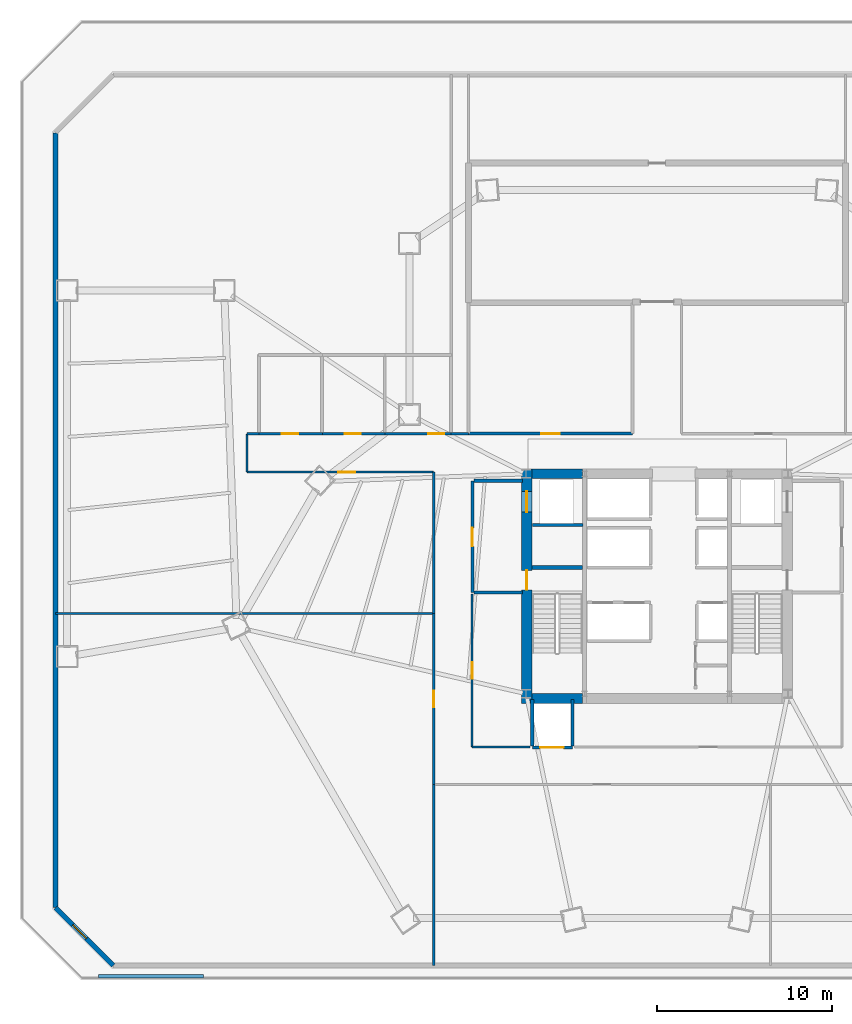
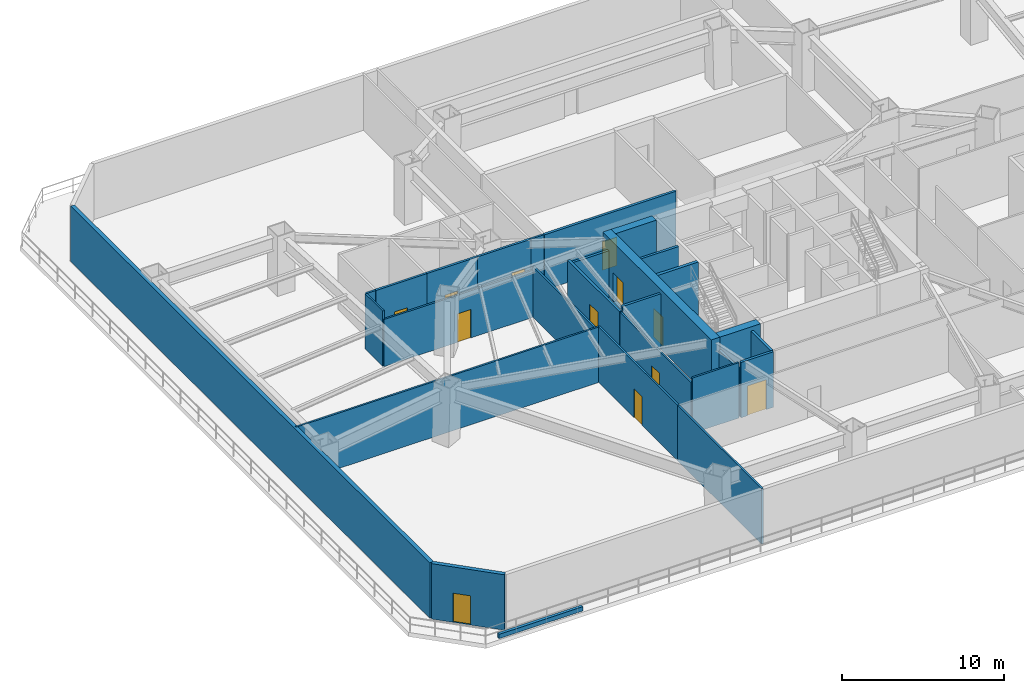
# One storey, part 5 of 13: 28 walls, 12 doors, 12 openings.
"""IFC4 building model written with IfcOpenShell, lengths in metres."""

from ifc_helpers import new_model, si_unit, direction, frame, frame_2d, origin, place, context, subcontext, project, spatial, rectangle, extrude, material, layer, layer_set, type_object, element, fill, save


model = new_model("IFC4")

# Units and contexts
model_context = context("Model", 3, precision=1e-05, world=origin(), true_north=direction((0.0, 1.0)))
body_context = subcontext(model_context, "Body", "Model", "MODEL_VIEW")
ifc_project = project(units=[si_unit("LENGTHUNIT", "METRE"), si_unit("AREAUNIT", "SQUARE_METRE"), si_unit("VOLUMEUNIT", "CUBIC_METRE"), si_unit("PLANEANGLEUNIT", "RADIAN"), si_unit("MASSUNIT", "GRAM", prefix="KILO")], contexts=[model_context])

# Site, building, storey
site_placement = place(None, origin())
site = spatial("IfcSite", under=ifc_project, at=site_placement, CompositionType="ELEMENT")
building_placement = place(site_placement, origin())
building = spatial("IfcBuilding", under=site, at=building_placement, Name="Caelisora Broadcast Tower", CompositionType="ELEMENT")
storey_placement = place(building_placement, frame((0.0, 0.0, 10.199951171875)))
storey = spatial("IfcBuildingStorey", under=building, at=storey_placement, Name="L02", CompositionType="ELEMENT", Elevation=10.199951171875)

# Wall, openings, doors
ifc_material_1 = material(Name="Concrete 65 MPa (AS 3600 S65)", Category="concrete")
ifc_layer_1 = layer(ifc_material_1, 0.60009765625, Name="Concrete 65 MPa (AS 3600 S65)")
ifc_layer_set_1 = layer_set([ifc_layer_1], Name="Concrete 65 MPa (AS 3600 S65)")
wall_type_1 = type_object("IfcWallType", Name="CW1", PredefinedType="SHEAR", material=ifc_layer_set_1)
wall_1_placement = place(storey_placement, frame((30.5400390625, 16.85009765625, 0.0), z_axis=(0.0, 0.0, 1.0), x_axis=(0.0, 1.0, 0.0)))
wall_1 = element("IfcWall", 1, at=wall_1_placement, inside=storey, type_object=wall_type_1, Name="L02 core shear wall CW1", PredefinedType="SHEAR", context=body_context, shape_type="SweptSolid", body=[
    extrude(rectangle(XDim=13.4248046875, YDim=0.60009765625, at=frame_2d((6.71240234375, 0.0))), origin(), (0.0, 0.0, 1.0), 4.5),
])
opening_1_placement = place(wall_1_placement, frame((6.5, 0.0, 0.0)))
opening_1 = element("IfcOpeningElement", 2, at=opening_1_placement, cuts=wall_1, Name="Opening FD04", PredefinedType="OPENING", context=body_context, shape_type="SweptSolid", body=[
    extrude(rectangle(XDim=1.1201171875, YDim=2.14990234375, at=frame_2d((0.56005859375, 1.074951171875))), frame((0.0, 0.31201171875, 0.0), z_axis=(0.0, -1.0, 0.0), x_axis=(1.0, 0.0, 0.0)), (0.0, 0.0, 1.0), 0.6240234375),
])
opening_2_placement = place(wall_1_placement, frame((10.949951171875, 0.0, 0.0)))
opening_2 = element("IfcOpeningElement", 3, at=opening_2_placement, cuts=wall_1, Name="Opening LD04", PredefinedType="OPENING", context=body_context, shape_type="SweptSolid", body=[
    extrude(rectangle(XDim=1.199951171875, YDim=2.199951171875, at=frame_2d((0.60009765625, 1.10009765625))), frame((0.0, 0.31201171875, 0.0), z_axis=(0.0, -1.0, 0.0), x_axis=(1.0, 0.0, 0.0)), (0.0, 0.0, 1.0), 0.6240234375),
])
ifc_material_2 = material(Name="Pressurised Fire-Isolated Stair Door", Category="steel")
door_type_1 = type_object("IfcDoorType", Name="FD04", OperationType="NOTDEFINED", PredefinedType="DOOR", material=ifc_material_2)
door_1_placement = place(opening_1_placement, origin())
door_1 = element("IfcDoor", 4, at=door_1_placement, inside=storey, type_object=door_type_1, Name="L02 door FD04 (L02-DR-ST1)", OperationType="SINGLE_SWING_LEFT", OverallHeight=2.14990234375, OverallWidth=1.1201171875, PredefinedType="DOOR", context=body_context, shape_type="SweptSolid", body=[
    extrude(rectangle(XDim=1.1201171875, YDim=2.14990234375, at=frame_2d((0.56005859375, 1.074951171875))), frame((0.0, 0.02490234375, 0.0), z_axis=(0.0, -1.0, 0.0), x_axis=(1.0, 0.0, 0.0)), (0.0, 0.0, 1.0), 0.050048828125),
])
fill(opening_1, door_1)
ifc_material_3 = material(Name="Emergency Firefighting Lift Sliding Landing Door", Category="steel")
door_type_2 = type_object("IfcDoorType", Name="LD04", OperationType="NOTDEFINED", PredefinedType="DOOR", material=ifc_material_3)
door_2_placement = place(opening_2_placement, origin())
door_2 = element("IfcDoor", 5, at=door_2_placement, inside=storey, type_object=door_type_2, Name="L02 door LD04 (L02-LD-FFL1)", OperationType="SLIDING_TO_LEFT", OverallHeight=2.199951171875, OverallWidth=1.199951171875, PredefinedType="DOOR", context=body_context, shape_type="SweptSolid", body=[
    extrude(rectangle(XDim=1.199951171875, YDim=2.199951171875, at=frame_2d((0.60009765625, 1.10009765625))), frame((0.0, 0.02490234375, 0.0), z_axis=(0.0, -1.0, 0.0), x_axis=(1.0, 0.0, 0.0)), (0.0, 0.0, 1.0), 0.050048828125),
])
fill(opening_2, door_2)

# Walls
ifc_layer_2 = layer(ifc_material_1, 0.550048828125, Name="Concrete 65 MPa (AS 3600 S65)")
ifc_layer_set_2 = layer_set([ifc_layer_2], Name="Concrete 65 MPa (AS 3600 S65)")
wall_type_2 = type_object("IfcWallType", Name="CW4", PredefinedType="SHEAR", material=ifc_layer_set_2)
for number, where, z_axis, x_axis, name in (
    (6, (30.840087890625, 17.125, 0.0), (0.0, 0.0, 1.0), (1.0, 0.0, 0.0), "L02 core shear wall CW4"),
    (7, (30.840087890625, 30.0, 0.0), (0.0, 0.0, 1.0), (1.0, 0.0, 0.0), "L02 core shear wall CW4"),
):
    element("IfcWall", number, at=place(storey_placement, frame(where, z_axis=z_axis, x_axis=x_axis)), inside=storey, type_object=wall_type_2, Name=name, PredefinedType="SHEAR", context=body_context, shape_type="SweptSolid", body=[
        extrude(rectangle(XDim=2.89990234375, YDim=0.550048828125, at=frame_2d((1.449951171875, 0.0))), origin(), (0.0, 0.0, 1.0), 4.5),
    ])
ifc_material_4 = material(Name="Concrete 50 MPa (AS 3600 S50)", Category="concrete")
ifc_layer_3 = layer(ifc_material_4, 0.219970703125, Name="Concrete 50 MPa (AS 3600 S50)")
ifc_layer_set_3 = layer_set([ifc_layer_3], Name="Concrete 50 MPa (AS 3600 S50)")
wall_type_3 = type_object("IfcWallType", Name="CW7", PredefinedType="SHEAR", material=ifc_layer_set_3)
wall_2_placement = place(storey_placement, frame((30.840087890625, 24.639892578125, 0.0), z_axis=(0.0, 0.0, 1.0), x_axis=(1.0, 0.0, 0.0)))
element("IfcWall", 8, at=wall_2_placement, inside=storey, type_object=wall_type_3, Name="L02 core shear wall CW7", PredefinedType="SHEAR", context=body_context, shape_type="SweptSolid", body=[
    extrude(rectangle(XDim=2.89990234375, YDim=0.219970703125, at=frame_2d((1.449951171875, 0.0))), origin(), (0.0, 0.0, 1.0), 4.5),
])

# Wall, opening, door
ifc_material_5 = material(Name="Insulated Terracotta Spandrel Wall System", Category="masonry")
ifc_layer_4 = layer(ifc_material_5, 0.280029296875, Name="Insulated Terracotta Spandrel Wall System")
ifc_layer_set_4 = layer_set([ifc_layer_4], Name="Insulated Terracotta Spandrel Wall System")
wall_type_4 = type_object("IfcWallType", Name="EW1", PredefinedType="STANDARD", material=ifc_layer_set_4)
wall_3_placement = place(storey_placement, frame((6.841064453125, 1.840087890625, 0.0), z_axis=(0.0, 0.0, 1.0), x_axis=(-0.707106781187, 0.707106781187, 0.0)))
wall_3 = element("IfcWall", 9, at=wall_3_placement, inside=storey, type_object=wall_type_4, Name="L02 exterior envelope wall EW1", PredefinedType="STANDARD", context=body_context, shape_type="SweptSolid", body=[
    extrude(rectangle(XDim=4.66845703125, YDim=0.280029296875, at=frame_2d((2.334228515625, 0.0))), origin(), (0.0, 0.0, 1.0), 4.179931640625),
])
opening_3_placement = place(wall_3_placement, frame((2.169921875, 0.0, 0.0)))
opening_3 = element("IfcOpeningElement", 10, at=opening_3_placement, cuts=wall_3, Name="Opening D04", PredefinedType="OPENING", context=body_context, shape_type="SweptSolid", body=[
    extrude(rectangle(XDim=1.10009765625, YDim=2.199951171875, at=frame_2d((0.550048828125, 1.10009765625))), frame((0.0, 0.152099609375, 0.0), z_axis=(0.0, -1.0, 0.0), x_axis=(1.0, 0.0, 0.0)), (0.0, 0.0, 1.0), 0.303955078125),
])
ifc_material_6 = material(Name="Aluminium Framed Double-Glazed Terrace Door", Category="aluminium")
door_type_3 = type_object("IfcDoorType", Name="D04", OperationType="NOTDEFINED", PredefinedType="DOOR", material=ifc_material_6)
door_3_placement = place(opening_3_placement, origin())
door_3 = element("IfcDoor", 11, at=door_3_placement, inside=storey, type_object=door_type_3, Name="L02 door D04 (L02-DR-TER)", OperationType="SINGLE_SWING_LEFT", OverallHeight=2.199951171875, OverallWidth=1.10009765625, PredefinedType="DOOR", context=body_context, shape_type="SweptSolid", body=[
    extrude(rectangle(XDim=1.10009765625, YDim=2.199951171875, at=frame_2d((0.550048828125, 1.10009765625))), frame((0.0, 0.02490234375, 0.0), z_axis=(0.0, -1.0, 0.0), x_axis=(1.0, 0.0, 0.0)), (0.0, 0.0, 1.0), 0.050048828125),
])
fill(opening_3, door_3)

# Walls
wall_4_placement = place(storey_placement, frame((3.5400390625, 5.160888671875, 0.0), z_axis=(0.0, 0.0, 1.0), x_axis=(0.0, 1.0, 0.0)))
element("IfcWall", 12, at=wall_4_placement, inside=storey, type_object=wall_type_4, Name="L02 exterior envelope wall EW1", PredefinedType="STANDARD", context=body_context, shape_type="SweptSolid", body=[
    extrude(rectangle(XDim=44.378173828125, YDim=0.280029296875, at=frame_2d((22.18896484375, 0.0))), origin(), (0.0, 0.0, 1.0), 4.179931640625),
])
ifc_material_7 = material(Name="Precast Concrete 40 MPa (AS 3600 N40)", Category="concrete")
ifc_layer_5 = layer(ifc_material_7, 0.2099609375, Name="Precast Concrete 40 MPa (AS 3600 N40)")
ifc_layer_set_5 = layer_set([ifc_layer_5], Name="Precast Concrete 40 MPa (AS 3600 N40)")
wall_type_5 = type_object("IfcWallType", Name="EW3", PredefinedType="PARAPET", material=ifc_layer_set_5)
wall_5_placement = place(storey_placement, frame((6.0, 1.219970703125, 0.0), z_axis=(0.0, 0.0, 1.0), x_axis=(1.0, 0.0, 0.0)))
element("IfcWall", 13, at=wall_5_placement, inside=storey, type_object=wall_type_5, Name="L02 terrace parapet wall EW3", PredefinedType="PARAPET", context=body_context, shape_type="SweptSolid", body=[
    extrude(rectangle(XDim=6.0, YDim=0.2099609375, at=frame_2d((3.0, 0.0))), origin(), (0.0, 0.0, 1.0), 0.320068359375),
])

# Wall, opening, door
ifc_material_8 = material(Name="Fire-Rated Gypsum Shaft and Compartment Wall", Category="gypsum")
ifc_layer_6 = layer(ifc_material_8, 0.179931640625, Name="Fire-Rated Gypsum Shaft and Compartment Wall")
ifc_layer_set_6 = layer_set([ifc_layer_6], Name="Fire-Rated Gypsum Shaft and Compartment Wall")
wall_type_6 = type_object("IfcWallType", Name="PW2", PredefinedType="PARTITIONING", material=ifc_layer_set_6)
wall_6_placement = place(storey_placement, frame((30.85009765625, 14.320068359375, 0.0), z_axis=(0.0, 0.0, 1.0), x_axis=(1.0, 0.0, 0.0)))
wall_6 = element("IfcWall", 14, at=wall_6_placement, inside=storey, type_object=wall_type_6, Name="L02 fire compartment wall PW2", PredefinedType="PARTITIONING", context=body_context, shape_type="SweptSolid", body=[
    extrude(rectangle(XDim=2.2998046875, YDim=0.179931640625, at=frame_2d((1.14990234375, 0.0))), origin(), (0.0, 0.0, 1.0), 4.179931640625),
])
opening_4_placement = place(wall_6_placement, frame((0.449951171875, 0.0, 0.0)))
opening_4 = element("IfcOpeningElement", 15, at=opening_4_placement, cuts=wall_6, Name="Opening LD03", PredefinedType="OPENING", context=body_context, shape_type="SweptSolid", body=[
    extrude(rectangle(XDim=1.35009765625, YDim=2.25, at=frame_2d((0.675048828125, 1.125))), frame((0.0, 0.10205078125, 0.0), z_axis=(0.0, -1.0, 0.0), x_axis=(1.0, 0.0, 0.0)), (0.0, 0.0, 1.0), 0.203857421875),
])
ifc_material_9 = material(Name="Heavy-Duty Goods Lift Sliding Landing Door", Category="steel")
door_type_4 = type_object("IfcDoorType", Name="LD03", OperationType="NOTDEFINED", PredefinedType="DOOR", material=ifc_material_9)
door_4_placement = place(opening_4_placement, origin())
door_4 = element("IfcDoor", 16, at=door_4_placement, inside=storey, type_object=door_type_4, Name="L02 door LD03 (L02-LD-GL1)", OperationType="SLIDING_TO_LEFT", OverallHeight=2.25, OverallWidth=1.35009765625, PredefinedType="DOOR", context=body_context, shape_type="SweptSolid", body=[
    extrude(rectangle(XDim=1.35009765625, YDim=2.25, at=frame_2d((0.675048828125, 1.125))), frame((0.0, 0.02490234375, 0.0), z_axis=(0.0, -1.0, 0.0), x_axis=(1.0, 0.0, 0.0)), (0.0, 0.0, 1.0), 0.050048828125),
])
fill(opening_4, door_4)

# Walls
wall_7_placement = place(storey_placement, frame((30.85009765625, 14.419921875, 0.0), z_axis=(0.0, 0.0, 1.0), x_axis=(0.0, 1.0, 0.0)))
element("IfcWall", 17, at=wall_7_placement, inside=storey, type_object=wall_type_6, Name="L02 fire compartment wall PW2", PredefinedType="PARTITIONING", context=body_context, shape_type="SweptSolid", body=[
    extrude(rectangle(XDim=2.66015625, YDim=0.179931640625, at=frame_2d((1.330078125, 0.0))), origin(), (0.0, 0.0, 1.0), 3.553466796875),
])
wall_8_placement = place(storey_placement, frame((33.14990234375, 14.419921875, 0.0), z_axis=(0.0, 0.0, 1.0), x_axis=(0.0, 1.0, 0.0)))
element("IfcWall", 18, at=wall_8_placement, inside=storey, type_object=wall_type_6, Name="L02 fire compartment wall PW2", PredefinedType="PARTITIONING", context=body_context, shape_type="SweptSolid", body=[
    extrude(rectangle(XDim=2.66015625, YDim=0.179931640625, at=frame_2d((1.330078125, 0.0))), origin(), (0.0, 0.0, 1.0), 4.179931640625),
])

# Wall, opening, door
wall_9_placement = place(storey_placement, frame((27.419921875, 23.199951171875, 0.0), z_axis=(0.0, 0.0, 1.0), x_axis=(0.0, 1.0, 0.0)))
wall_9 = element("IfcWall", 19, at=wall_9_placement, inside=storey, type_object=wall_type_6, Name="L02 fire compartment wall PW2", PredefinedType="PARTITIONING", context=body_context, shape_type="SweptSolid", body=[
    extrude(rectangle(XDim=6.400146484375, YDim=0.179931640625, at=frame_2d((3.2001953125, 0.0))), origin(), (0.0, 0.0, 1.0), 3.806396484375),
])
opening_5_placement = place(wall_9_placement, frame((2.64990234375, 0.0, 0.0)))
opening_5 = element("IfcOpeningElement", 20, at=opening_5_placement, cuts=wall_9, Name="Opening FD02", PredefinedType="OPENING", context=body_context, shape_type="SweptSolid", body=[
    extrude(rectangle(XDim=1.050048828125, YDim=2.14990234375, at=frame_2d((0.52490234375, 1.074951171875))), frame((0.0, 0.10205078125, 0.0), z_axis=(0.0, -1.0, 0.0), x_axis=(1.0, 0.0, 0.0)), (0.0, 0.0, 1.0), 0.203857421875),
])
ifc_material_10 = material(Name="Single-Leaf Steel Fire Lobby Door", Category="steel")
door_type_5 = type_object("IfcDoorType", Name="FD02", OperationType="NOTDEFINED", PredefinedType="DOOR", material=ifc_material_10)
door_5_placement = place(opening_5_placement, origin())
door_5 = element("IfcDoor", 21, at=door_5_placement, inside=storey, type_object=door_type_5, Name="L02 door FD02 (L02-DR-P01D1)", OperationType="SINGLE_SWING_LEFT", OverallHeight=2.14990234375, OverallWidth=1.050048828125, PredefinedType="DOOR", context=body_context, shape_type="SweptSolid", body=[
    extrude(rectangle(XDim=1.050048828125, YDim=2.14990234375, at=frame_2d((0.52490234375, 1.074951171875))), frame((0.0, 0.02490234375, 0.0), z_axis=(0.0, -1.0, 0.0), x_axis=(1.0, 0.0, 0.0)), (0.0, 0.0, 1.0), 0.050048828125),
])
fill(opening_5, door_5)

# Walls
wall_10_placement = place(storey_placement, frame((27.52001953125, 23.199951171875, 0.0), z_axis=(0.0, 0.0, 1.0), x_axis=(1.0, 0.0, 0.0)))
element("IfcWall", 22, at=wall_10_placement, inside=storey, type_object=wall_type_6, Name="L02 fire compartment wall PW2", PredefinedType="PARTITIONING", context=body_context, shape_type="SweptSolid", body=[
    extrude(rectangle(XDim=2.760009765625, YDim=0.179931640625, at=frame_2d((1.3798828125, 0.0))), origin(), (0.0, 0.0, 1.0), 4.179931640625),
])
wall_11_placement = place(storey_placement, frame((27.52001953125, 29.60009765625, 0.0), z_axis=(0.0, 0.0, 1.0), x_axis=(1.0, 0.0, 0.0)))
element("IfcWall", 23, at=wall_11_placement, inside=storey, type_object=wall_type_6, Name="L02 fire compartment wall PW2", PredefinedType="PARTITIONING", context=body_context, shape_type="SweptSolid", body=[
    extrude(rectangle(XDim=2.760009765625, YDim=0.179931640625, at=frame_2d((1.3798828125, 0.0))), origin(), (0.0, 0.0, 1.0), 3.553466796875),
])
wall_12_placement = place(storey_placement, frame((30.860107421875, 27.070068359375, 0.0), z_axis=(0.0, 0.0, 1.0), x_axis=(1.0, 0.0, 0.0)))
element("IfcWall", 24, at=wall_12_placement, inside=storey, type_object=wall_type_6, Name="L02 fire compartment wall PW2", PredefinedType="PARTITIONING", context=body_context, shape_type="SweptSolid", body=[
    extrude(rectangle(XDim=2.89990234375, YDim=0.179931640625, at=frame_2d((1.449951171875, 0.0))), origin(), (0.0, 0.0, 1.0), 4.179931640625),
])

# Wall, opening, door
wall_13_placement = place(storey_placement, frame((27.205078125, 32.300048828125, 0.0), z_axis=(0.0, 0.0, 1.0), x_axis=(1.0, 0.0, 0.0)))
wall_13 = element("IfcWall", 25, at=wall_13_placement, inside=storey, type_object=wall_type_6, Name="L02 fire compartment wall PW2", PredefinedType="PARTITIONING", context=body_context, shape_type="SweptSolid", body=[
    extrude(rectangle(XDim=9.389892578125, YDim=0.179931640625, at=frame_2d((4.69482421875, 0.0))), origin(), (0.0, 0.0, 1.0), 4.179931640625),
])
opening_6_placement = place(wall_13_placement, frame((4.169921875, 0.0, 0.0)))
opening_6 = element("IfcOpeningElement", 26, at=opening_6_placement, cuts=wall_13, Name="Opening FD02", PredefinedType="OPENING", context=body_context, shape_type="SweptSolid", body=[
    extrude(rectangle(XDim=1.050048828125, YDim=2.14990234375, at=frame_2d((0.52490234375, 1.074951171875))), frame((0.0, 0.10205078125, 0.0), z_axis=(0.0, -1.0, 0.0), x_axis=(1.0, 0.0, 0.0)), (0.0, 0.0, 1.0), 0.203857421875),
])
door_6_placement = place(opening_6_placement, origin())
door_6 = element("IfcDoor", 27, at=door_6_placement, inside=storey, type_object=door_type_5, Name="L02 door FD02 (L02-DR-P29D1)", OperationType="SINGLE_SWING_LEFT", OverallHeight=2.14990234375, OverallWidth=1.050048828125, PredefinedType="DOOR", context=body_context, shape_type="SweptSolid", body=[
    extrude(rectangle(XDim=1.050048828125, YDim=2.14990234375, at=frame_2d((0.52490234375, 1.074951171875))), frame((0.0, 0.02490234375, 0.0), z_axis=(0.0, -1.0, 0.0), x_axis=(1.0, 0.0, 0.0)), (0.0, 0.0, 1.0), 0.050048828125),
])
fill(opening_6, door_6)

# Wall
ifc_material_11 = material(Name="Acoustic Steel-Stud Plasterboard Partition", Category="gypsum")
ifc_layer_7 = layer(ifc_material_11, 0.1298828125, Name="Acoustic Steel-Stud Plasterboard Partition")
ifc_layer_set_7 = layer_set([ifc_layer_7], Name="Acoustic Steel-Stud Plasterboard Partition")
wall_type_7 = type_object("IfcWallType", Name="PW3", PredefinedType="PARTITIONING", material=ifc_layer_set_7)
wall_14_placement = place(storey_placement, frame((3.530029296875, 22.0, 0.0), z_axis=(0.0, 0.0, 1.0), x_axis=(1.0, 0.0, 0.0)))
element("IfcWall", 28, at=wall_14_placement, inside=storey, type_object=wall_type_7, Name="L02 internal partition PW3", PredefinedType="PARTITIONING", context=body_context, shape_type="SweptSolid", body=[
    extrude(rectangle(XDim=21.6650390625, YDim=0.1298828125, at=frame_2d((10.83251953125, 0.0))), origin(), (0.0, 0.0, 1.0), 4.179931640625),
])

# Wall, opening, door
wall_15_placement = place(storey_placement, frame((25.195068359375, 30.10009765625, 0.0), z_axis=(0.0, 0.0, 1.0), x_axis=(-1.0, 0.0, 0.0)))
wall_15 = element("IfcWall", 29, at=wall_15_placement, inside=storey, type_object=wall_type_7, Name="L02 internal partition PW3", PredefinedType="PARTITIONING", context=body_context, shape_type="SweptSolid", body=[
    extrude(rectangle(XDim=10.690185546875, YDim=0.1298828125, at=frame_2d((5.34521484375, 0.0))), origin(), (0.0, 0.0, 1.0), 3.553466796875),
])
opening_7_placement = place(wall_15_placement, frame((4.5, 0.0, 0.0)))
opening_7 = element("IfcOpeningElement", 30, at=opening_7_placement, cuts=wall_15, Name="Opening D01", PredefinedType="OPENING", context=body_context, shape_type="SweptSolid", body=[
    extrude(rectangle(XDim=0.9599609375, YDim=2.14990234375, at=frame_2d((0.47998046875, 1.074951171875))), frame((0.0, 0.076904296875, 0.0), z_axis=(0.0, -1.0, 0.0), x_axis=(1.0, 0.0, 0.0)), (0.0, 0.0, 1.0), 0.15380859375),
])
ifc_material_12 = material(Name="Solid-Core Timber Acoustic Office Door", Category="wood")
door_type_6 = type_object("IfcDoorType", Name="D01", OperationType="NOTDEFINED", PredefinedType="DOOR", material=ifc_material_12)
door_7_placement = place(opening_7_placement, origin())
door_7 = element("IfcDoor", 31, at=door_7_placement, inside=storey, type_object=door_type_6, Name="L02 door D01 (L02-DR-P39D1)", OperationType="SINGLE_SWING_LEFT", OverallHeight=2.14990234375, OverallWidth=0.9599609375, PredefinedType="DOOR", context=body_context, shape_type="SweptSolid", body=[
    extrude(rectangle(XDim=0.9599609375, YDim=2.14990234375, at=frame_2d((0.47998046875, 1.074951171875))), frame((0.0, 0.02490234375, 0.0), z_axis=(0.0, -1.0, 0.0), x_axis=(1.0, 0.0, 0.0)), (0.0, 0.0, 1.0), 0.050048828125),
])
fill(opening_7, door_7)

# Wall
wall_16_placement = place(storey_placement, frame((25.199951171875, 1.830078125, 0.0), z_axis=(0.0, 0.0, 1.0), x_axis=(0.0, 1.0, 0.0)))
element("IfcWall", 32, at=wall_16_placement, inside=storey, type_object=wall_type_7, Name="L02 internal partition PW3", PredefinedType="PARTITIONING", context=body_context, shape_type="SweptSolid", body=[
    extrude(rectangle(XDim=10.364990234375, YDim=0.1298828125, at=frame_2d((5.1826171875, 0.0))), origin(), (0.0, 0.0, 1.0), 4.179931640625),
])

# Wall, opening, door
wall_17_placement = place(storey_placement, frame((25.199951171875, 12.205078125, 0.0), z_axis=(0.0, 0.0, 1.0), x_axis=(0.0, 1.0, 0.0)))
wall_17 = element("IfcWall", 33, at=wall_17_placement, inside=storey, type_object=wall_type_7, Name="L02 internal partition PW3", PredefinedType="PARTITIONING", context=body_context, shape_type="SweptSolid", body=[
    extrude(rectangle(XDim=9.7900390625, YDim=0.1298828125, at=frame_2d((4.89501953125, 0.0))), origin(), (0.0, 0.0, 1.0), 4.179931640625),
])
opening_8_placement = place(wall_17_placement, frame((4.4150390625, 0.0, 0.0)))
opening_8 = element("IfcOpeningElement", 34, at=opening_8_placement, cuts=wall_17, Name="Opening D01", PredefinedType="OPENING", context=body_context, shape_type="SweptSolid", body=[
    extrude(rectangle(XDim=0.9599609375, YDim=2.14990234375, at=frame_2d((0.47998046875, 1.074951171875))), frame((0.0, 0.076904296875, 0.0), z_axis=(0.0, -1.0, 0.0), x_axis=(1.0, 0.0, 0.0)), (0.0, 0.0, 1.0), 0.15380859375),
])
door_8_placement = place(opening_8_placement, origin())
door_8 = element("IfcDoor", 35, at=door_8_placement, inside=storey, type_object=door_type_6, Name="L02 door D01 (L02-DR-P43D1)", OperationType="SINGLE_SWING_RIGHT", OverallHeight=2.14990234375, OverallWidth=0.9599609375, PredefinedType="DOOR", context=body_context, shape_type="SweptSolid", body=[
    extrude(rectangle(XDim=0.9599609375, YDim=2.14990234375, at=frame_2d((0.47998046875, 1.074951171875))), frame((0.0, 0.02490234375, 0.0), z_axis=(0.0, -1.0, 0.0), x_axis=(1.0, 0.0, 0.0)), (0.0, 0.0, 1.0), 0.050048828125),
])
fill(opening_8, door_8)

wall_18_placement = place(storey_placement, frame((27.39990234375, 14.35498046875, 0.0), z_axis=(0.0, 0.0, 1.0), x_axis=(0.0, 1.0, 0.0)))
wall_18 = element("IfcWall", 36, at=wall_18_placement, inside=storey, type_object=wall_type_7, Name="L02 internal partition PW3", PredefinedType="PARTITIONING", context=body_context, shape_type="SweptSolid", body=[
    extrude(rectangle(XDim=8.75, YDim=0.1298828125, at=frame_2d((4.375, 0.0))), origin(), (0.0, 0.0, 1.0), 3.806396484375),
])
opening_9_placement = place(wall_18_placement, frame((3.89501953125, 0.0, 0.0)))
opening_9 = element("IfcOpeningElement", 37, at=opening_9_placement, cuts=wall_18, Name="Opening D01", PredefinedType="OPENING", context=body_context, shape_type="SweptSolid", body=[
    extrude(rectangle(XDim=0.9599609375, YDim=2.14990234375, at=frame_2d((0.47998046875, 1.074951171875))), frame((0.0, 0.076904296875, 0.0), z_axis=(0.0, -1.0, 0.0), x_axis=(1.0, 0.0, 0.0)), (0.0, 0.0, 1.0), 0.15380859375),
])
door_9_placement = place(opening_9_placement, origin())
door_9 = element("IfcDoor", 38, at=door_9_placement, inside=storey, type_object=door_type_6, Name="L02 door D01 (L02-DR-P47D1)", OperationType="SINGLE_SWING_RIGHT", OverallHeight=2.14990234375, OverallWidth=0.9599609375, PredefinedType="DOOR", context=body_context, shape_type="SweptSolid", body=[
    extrude(rectangle(XDim=0.9599609375, YDim=2.14990234375, at=frame_2d((0.47998046875, 1.074951171875))), frame((0.0, 0.02490234375, 0.0), z_axis=(0.0, -1.0, 0.0), x_axis=(1.0, 0.0, 0.0)), (0.0, 0.0, 1.0), 0.050048828125),
])
fill(opening_9, door_9)

# Walls
wall_19_placement = place(storey_placement, frame((25.199951171875, 22.0048828125, 0.0), z_axis=(0.0, 0.0, 1.0), x_axis=(0.0, 1.0, 0.0)))
element("IfcWall", 39, at=wall_19_placement, inside=storey, type_object=wall_type_7, Name="L02 internal partition PW3", PredefinedType="PARTITIONING", context=body_context, shape_type="SweptSolid", body=[
    extrude(rectangle(XDim=8.090087890625, YDim=0.1298828125, at=frame_2d((4.044921875, 0.0))), origin(), (0.0, 0.0, 1.0), 3.806396484375),
])
wall_20_placement = place(storey_placement, frame((30.72509765625, 14.35009765625, 0.0), z_axis=(0.0, 0.0, 1.0), x_axis=(-1.0, 0.0, 0.0)))
element("IfcWall", 40, at=wall_20_placement, inside=storey, type_object=wall_type_7, Name="L02 internal partition PW3", PredefinedType="PARTITIONING", context=body_context, shape_type="SweptSolid", body=[
    extrude(rectangle(XDim=3.320068359375, YDim=0.1298828125, at=frame_2d((1.66015625, 0.0))), origin(), (0.0, 0.0, 1.0), 4.179931640625),
])
wall_21_placement = place(storey_placement, frame((14.5, 30.10498046875, 0.0), z_axis=(0.0, 0.0, 1.0), x_axis=(0.0, 1.0, 0.0)))
element("IfcWall", 41, at=wall_21_placement, inside=storey, type_object=wall_type_7, Name="L02 internal partition PW3", PredefinedType="PARTITIONING", context=body_context, shape_type="SweptSolid", body=[
    extrude(rectangle(XDim=2.18994140625, YDim=0.1298828125, at=frame_2d((1.094970703125, 0.0))), origin(), (0.0, 0.0, 1.0), 4.179931640625),
])
wall_22_placement = place(storey_placement, frame((26.205078125, 32.300048828125, 0.0), z_axis=(0.0, 0.0, 1.0), x_axis=(1.0, 0.0, 0.0)))
element("IfcWall", 42, at=wall_22_placement, inside=storey, type_object=wall_type_7, Name="L02 internal partition PW3", PredefinedType="PARTITIONING", context=body_context, shape_type="SweptSolid", body=[
    extrude(rectangle(XDim=0.989990234375, YDim=0.1298828125, at=frame_2d((0.4951171875, 0.0))), origin(), (0.0, 0.0, 1.0), 4.179931640625),
])
wall_23_placement = place(storey_placement, frame((14.5048828125, 32.300048828125, 0.0), z_axis=(0.0, 0.0, 1.0), x_axis=(1.0, 0.0, 0.0)))
element("IfcWall", 43, at=wall_23_placement, inside=storey, type_object=wall_type_7, Name="L02 internal partition PW3", PredefinedType="PARTITIONING", context=body_context, shape_type="SweptSolid", body=[
    extrude(rectangle(XDim=0.690185546875, YDim=0.1298828125, at=frame_2d((0.34521484375, 0.0))), origin(), (0.0, 0.0, 1.0), 4.179931640625),
])

# Wall, opening, door
ifc_material_13 = material(Name="Moisture-Resistant Wet Plumbing Service Wall", Category="gypsum")
ifc_layer_8 = layer(ifc_material_13, 0.159912109375, Name="Moisture-Resistant Wet Plumbing Service Wall")
ifc_layer_set_8 = layer_set([ifc_layer_8], Name="Moisture-Resistant Wet Plumbing Service Wall")
wall_type_8 = type_object("IfcWallType", Name="PW4", PredefinedType="PLUMBINGWALL", material=ifc_layer_set_8)
wall_24_placement = place(storey_placement, frame((22.375, 32.300048828125, 0.0), z_axis=(0.0, 0.0, 1.0), x_axis=(1.0, 0.0, 0.0)))
wall_24 = element("IfcWall", 44, at=wall_24_placement, inside=storey, type_object=wall_type_8, Name="L02 wet plumbing wall PW4", PredefinedType="PLUMBINGWALL", context=body_context, shape_type="SweptSolid", body=[
    extrude(rectangle(XDim=3.85009765625, YDim=0.159912109375, at=frame_2d((1.925048828125, 0.0))), origin(), (0.0, 0.0, 1.0), 4.179931640625),
])
opening_10_placement = place(wall_24_placement, frame((2.52001953125, 0.0, 0.0)))
opening_10 = element("IfcOpeningElement", 45, at=opening_10_placement, cuts=wall_24, Name="Opening D03", PredefinedType="OPENING", context=body_context, shape_type="SweptSolid", body=[
    extrude(rectangle(XDim=0.919921875, YDim=2.10009765625, at=frame_2d((0.4599609375, 1.050048828125))), frame((0.0, 0.092041015625, 0.0), z_axis=(0.0, -1.0, 0.0), x_axis=(1.0, 0.0, 0.0)), (0.0, 0.0, 1.0), 0.183837890625),
])
ifc_material_14 = material(Name="Laminate Moisture-Resistant Amenity WC Door", Category="wood")
door_type_7 = type_object("IfcDoorType", Name="D03", OperationType="NOTDEFINED", PredefinedType="DOOR", material=ifc_material_14)
door_10_placement = place(opening_10_placement, origin())
door_10 = element("IfcDoor", 46, at=door_10_placement, inside=storey, type_object=door_type_7, Name="L02 door D03 (L02-DR-P17D1)", OperationType="SINGLE_SWING_LEFT", OverallHeight=2.10009765625, OverallWidth=0.919921875, PredefinedType="DOOR", context=body_context, shape_type="SweptSolid", body=[
    extrude(rectangle(XDim=0.919921875, YDim=2.10009765625, at=frame_2d((0.4599609375, 1.050048828125))), frame((0.0, 0.02490234375, 0.0), z_axis=(0.0, -1.0, 0.0), x_axis=(1.0, 0.0, 0.0)), (0.0, 0.0, 1.0), 0.050048828125),
])
fill(opening_10, door_10)

wall_25_placement = place(storey_placement, frame((15.175048828125, 32.300048828125, 0.0), z_axis=(0.0, 0.0, 1.0), x_axis=(1.0, 0.0, 0.0)))
wall_25 = element("IfcWall", 47, at=wall_25_placement, inside=storey, type_object=wall_type_8, Name="L02 wet plumbing wall PW4", PredefinedType="PLUMBINGWALL", context=body_context, shape_type="SweptSolid", body=[
    extrude(rectangle(XDim=3.64990234375, YDim=0.159912109375, at=frame_2d((1.824951171875, 0.0))), origin(), (0.0, 0.0, 1.0), 4.179931640625),
])
opening_11_placement = place(wall_25_placement, frame((1.3349609375, 0.0, 0.0)))
opening_11 = element("IfcOpeningElement", 48, at=opening_11_placement, cuts=wall_25, Name="Opening D03", PredefinedType="OPENING", context=body_context, shape_type="SweptSolid", body=[
    extrude(rectangle(XDim=0.919921875, YDim=2.10009765625, at=frame_2d((0.4599609375, 1.050048828125))), frame((0.0, 0.092041015625, 0.0), z_axis=(0.0, -1.0, 0.0), x_axis=(1.0, 0.0, 0.0)), (0.0, 0.0, 1.0), 0.183837890625),
])
door_11_placement = place(opening_11_placement, origin())
door_11 = element("IfcDoor", 49, at=door_11_placement, inside=storey, type_object=door_type_7, Name="L02 door D03 (L02-DR-P19D1)", OperationType="SINGLE_SWING_RIGHT", OverallHeight=2.10009765625, OverallWidth=0.919921875, PredefinedType="DOOR", context=body_context, shape_type="SweptSolid", body=[
    extrude(rectangle(XDim=0.919921875, YDim=2.10009765625, at=frame_2d((0.4599609375, 1.050048828125))), frame((0.0, 0.02490234375, 0.0), z_axis=(0.0, -1.0, 0.0), x_axis=(1.0, 0.0, 0.0)), (0.0, 0.0, 1.0), 0.050048828125),
])
fill(opening_11, door_11)

wall_26_placement = place(storey_placement, frame((18.77490234375, 32.300048828125, 0.0), z_axis=(0.0, 0.0, 1.0), x_axis=(1.0, 0.0, 0.0)))
wall_26 = element("IfcWall", 50, at=wall_26_placement, inside=storey, type_object=wall_type_8, Name="L02 wet plumbing wall PW4", PredefinedType="PLUMBINGWALL", context=body_context, shape_type="SweptSolid", body=[
    extrude(rectangle(XDim=3.650146484375, YDim=0.159912109375, at=frame_2d((1.8251953125, 0.0))), origin(), (0.0, 0.0, 1.0), 4.179931640625),
])
opening_12_placement = place(wall_26_placement, frame((1.3349609375, 0.0, 0.0)))
opening_12 = element("IfcOpeningElement", 51, at=opening_12_placement, cuts=wall_26, Name="Opening D03", PredefinedType="OPENING", context=body_context, shape_type="SweptSolid", body=[
    extrude(rectangle(XDim=0.919921875, YDim=2.10009765625, at=frame_2d((0.4599609375, 1.050048828125))), frame((0.0, 0.092041015625, 0.0), z_axis=(0.0, -1.0, 0.0), x_axis=(1.0, 0.0, 0.0)), (0.0, 0.0, 1.0), 0.183837890625),
])
door_12_placement = place(opening_12_placement, origin())
door_12 = element("IfcDoor", 52, at=door_12_placement, inside=storey, type_object=door_type_7, Name="L02 door D03 (L02-DR-P21D1)", OperationType="SINGLE_SWING_LEFT", OverallHeight=2.10009765625, OverallWidth=0.919921875, PredefinedType="DOOR", context=body_context, shape_type="SweptSolid", body=[
    extrude(rectangle(XDim=0.919921875, YDim=2.10009765625, at=frame_2d((0.4599609375, 1.050048828125))), frame((0.0, 0.02490234375, 0.0), z_axis=(0.0, -1.0, 0.0), x_axis=(1.0, 0.0, 0.0)), (0.0, 0.0, 1.0), 0.050048828125),
])
fill(opening_12, door_12)

save(model, "model.ifc")
